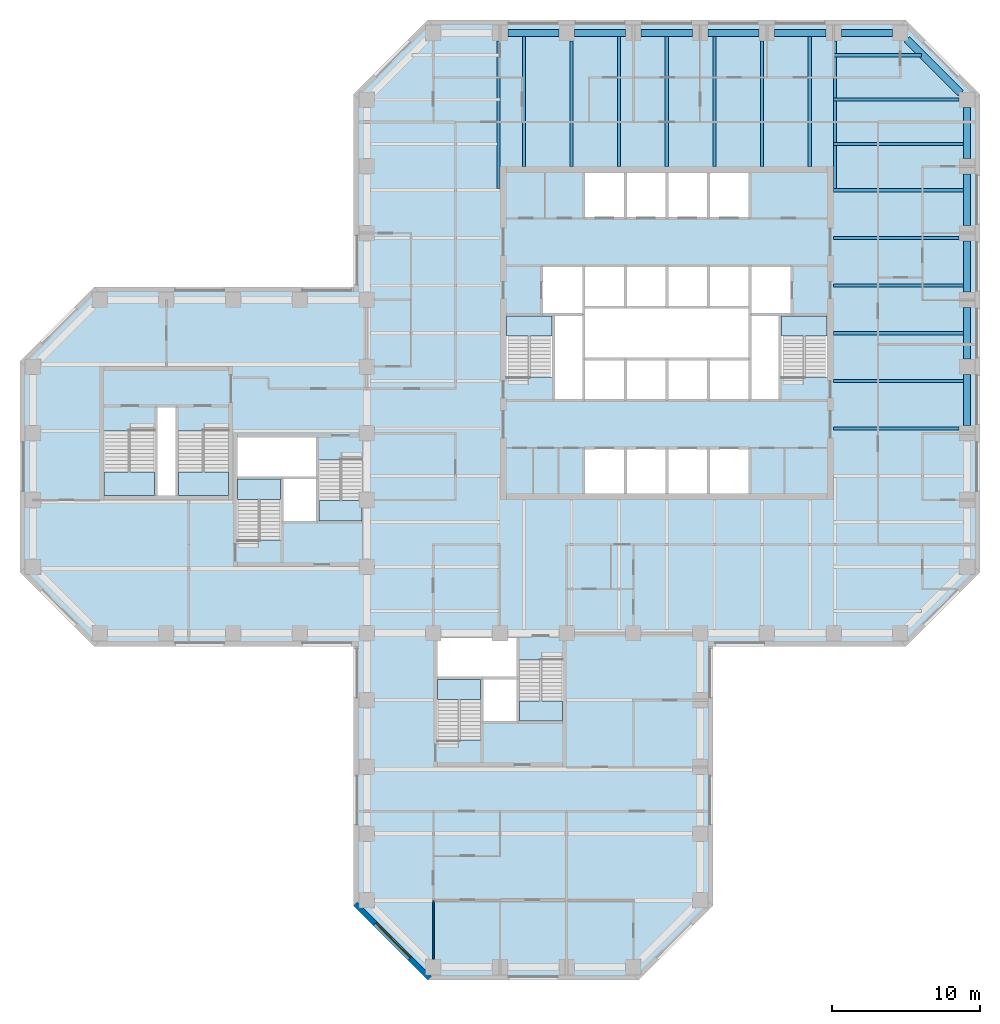
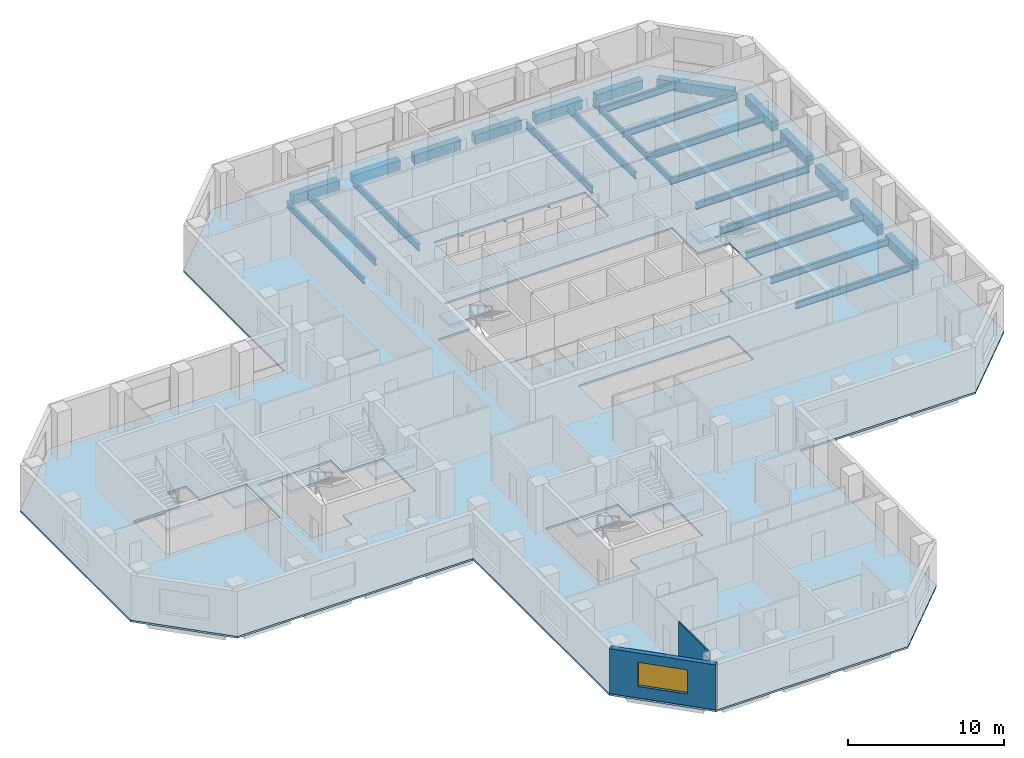
# One storey, part 2 of 11: 30 beams, 9 slabs, 2 walls, 1 window, 1 opening, 8 elements without a shape of their own.
"""IFC4 building model written with IfcOpenShell, lengths in metres."""

from ifc_helpers import new_model, si_unit, direction, frame, frame_2d, origin, origin_2d, place, context, subcontext, project, spatial, polyline, rectangle, i_section, outline, extrude, material, layer, layer_set, constituent, constituent_set, material_profile, profile_set, type_object, element, fill, aggregate, save


model = new_model("IFC4")

# Units and contexts
model_context = context("Model", 3, precision=1e-05, world=origin(), true_north=direction((0.0, 1.0)))
body_context = subcontext(model_context, "Body", "Model", "MODEL_VIEW")
ifc_project = project(units=[si_unit("LENGTHUNIT", "METRE"), si_unit("AREAUNIT", "SQUARE_METRE"), si_unit("VOLUMEUNIT", "CUBIC_METRE"), si_unit("PLANEANGLEUNIT", "RADIAN"), si_unit("MASSUNIT", "GRAM", prefix="KILO")], contexts=[model_context])

# Site, building, storey
site_placement = place(None, origin())
site = spatial("IfcSite", under=ifc_project, at=site_placement, CompositionType="ELEMENT")
building_placement = place(site_placement, origin())
building = spatial("IfcBuilding", under=site, at=building_placement, Name="Quoin Convention Tower", CompositionType="ELEMENT")
storey_placement = place(building_placement, frame((0.0, 0.0, 119.60009765625)))
storey = spatial("IfcBuildingStorey", under=building, at=storey_placement, Name="L31", CompositionType="ELEMENT", Elevation=119.60009765625)

# Beams
ifc_material_1 = material(Name="Steel Grade 300", Category="steel")
ifc_material_profile_1 = material_profile(ifc_material_1, i_section(OverallWidth=0.18994140625, OverallDepth=0.4541015625, WebThickness=0.008544921875, FlangeThickness=0.0126953125, FilletRadius=0.011474609375, at=origin_2d()), Name="460UB67.1")
ifc_profile_set_1 = profile_set([ifc_material_profile_1], Name="Steel Grade 300")
beam_type_1 = type_object("IfcBeamType", Name="460UB67.1", PredefinedType="BEAM", material=ifc_profile_set_1)
for number, where, z_axis, x_axis, name in (
    (1, (44.8955078125, 80.47509765625, -0.377197265625), (0.0, -1.0, 0.0), (1.0, 0.0, 0.0), "gir-L31-T1NW"),
    (2, (67.6044921875, 80.47509765625, -0.377197265625), (0.0, -1.0, 0.0), (1.0, 0.0, 0.0), "gir-L31-T1NE"),
):
    element("IfcBeam", number, at=place(storey_placement, frame(where, z_axis=z_axis, x_axis=x_axis)), inside=storey, type_object=beam_type_1, Name=name, PredefinedType="BEAM", context=body_context, shape_type="SweptSolid", body=[
        extrude(i_section(OverallWidth=0.18994140625, OverallDepth=0.4541015625, WebThickness=0.008544921875, FlangeThickness=0.0126953125, FilletRadius=0.011474609375, at=origin_2d()), origin(), (0.0, 0.0, 1.0), 9.977783203125),
    ])
ifc_material_profile_2 = material_profile(ifc_material_1, i_section(OverallWidth=0.208984375, OverallDepth=0.528076171875, WebThickness=0.009521484375, FlangeThickness=0.01318359375, FilletRadius=0.013916015625, at=origin_2d()), Name="530UB82.0")
ifc_profile_set_2 = profile_set([ifc_material_profile_2], Name="Steel Grade 300")
beam_type_2 = type_object("IfcBeamType", Name="530UB82.0", PredefinedType="BEAM", material=ifc_profile_set_2)
beam_1_placement = place(storey_placement, frame((67.5, 54.3212890625, -0.4140625), z_axis=(1.0, 0.0, 0.0), x_axis=(0.0, 1.0, 0.0)))
element("IfcBeam", 3, at=beam_1_placement, inside=storey, type_object=beam_type_2, Name="bm-L31-T1E1", PredefinedType="BEAM", context=body_context, shape_type="SweptSolid", body=[
    extrude(i_section(OverallWidth=0.208984375, OverallDepth=0.528076171875, WebThickness=0.009521484375, FlangeThickness=0.01318359375, FilletRadius=0.013916015625, at=origin_2d()), origin(), (0.0, 0.0, 1.0), 8.47509765625),
])
for number, where, z_axis, x_axis, name in (
    (4, (67.5, 57.53564453125, -0.4140625), (1.0, 0.0, 0.0), (0.0, 1.0, 0.0), "bm-L31-T1E2"),
    (5, (67.5, 60.75, -0.4140625), (1.0, 0.0, 0.0), (0.0, 1.0, 0.0), "bm-L31-T1E3"),
    (6, (67.5, 63.96435546875, -0.4140625), (1.0, 0.0, 0.0), (0.0, 1.0, 0.0), "bm-L31-T1E4"),
):
    element("IfcBeam", number, at=place(storey_placement, frame(where, z_axis=z_axis, x_axis=x_axis)), inside=storey, type_object=beam_type_2, Name=name, PredefinedType="BEAM", context=body_context, shape_type="SweptSolid", body=[
        extrude(i_section(OverallWidth=0.208984375, OverallDepth=0.528076171875, WebThickness=0.009521484375, FlangeThickness=0.01318359375, FilletRadius=0.013916015625, at=origin_2d()), origin(), (0.0, 0.0, 1.0), 8.75),
    ])
beam_2_placement = place(storey_placement, frame((67.5, 67.1787109375, -0.4140625), z_axis=(1.0, 0.0, 0.0), x_axis=(0.0, 1.0, 0.0)))
element("IfcBeam", 7, at=beam_2_placement, inside=storey, type_object=beam_type_2, Name="bm-L31-T1E5", PredefinedType="BEAM", context=body_context, shape_type="SweptSolid", body=[
    extrude(i_section(OverallWidth=0.208984375, OverallDepth=0.528076171875, WebThickness=0.009521484375, FlangeThickness=0.01318359375, FilletRadius=0.013916015625, at=origin_2d()), origin(), (0.0, 0.0, 1.0), 8.47509765625),
])
for number, where, z_axis, x_axis, name in (
    (8, (67.5, 70.392822265625, -0.4140625), (1.0, 0.0, 0.0), (0.0, 1.0, 0.0), "bm-L31-T1E6"),
    (9, (46.607177734375, 72.0, -0.4140625), (0.0, 1.0, 0.0), (-1.0, 0.0, 0.0), "bm-L31-T1N0"),
):
    element("IfcBeam", number, at=place(storey_placement, frame(where, z_axis=z_axis, x_axis=x_axis)), inside=storey, type_object=beam_type_2, Name=name, PredefinedType="BEAM", context=body_context, shape_type="SweptSolid", body=[
        extrude(i_section(OverallWidth=0.208984375, OverallDepth=0.528076171875, WebThickness=0.009521484375, FlangeThickness=0.01318359375, FilletRadius=0.013916015625, at=origin_2d()), origin(), (0.0, 0.0, 1.0), 8.75),
    ])
beam_3_placement = place(storey_placement, frame((49.8212890625, 72.0, -0.4140625), z_axis=(0.0, 1.0, 0.0), x_axis=(-1.0, 0.0, 0.0)))
element("IfcBeam", 10, at=beam_3_placement, inside=storey, type_object=beam_type_2, Name="bm-L31-T1N1", PredefinedType="BEAM", context=body_context, shape_type="SweptSolid", body=[
    extrude(i_section(OverallWidth=0.208984375, OverallDepth=0.528076171875, WebThickness=0.009521484375, FlangeThickness=0.01318359375, FilletRadius=0.013916015625, at=origin_2d()), origin(), (0.0, 0.0, 1.0), 8.47509765625),
])
for number, where, z_axis, x_axis, name in (
    (11, (53.03564453125, 72.0, -0.4140625), (0.0, 1.0, 0.0), (-1.0, 0.0, 0.0), "bm-L31-T1N2"),
    (12, (56.25, 72.0, -0.4140625), (0.0, 1.0, 0.0), (-1.0, 0.0, 0.0), "bm-L31-T1N3"),
    (13, (59.46435546875, 72.0, -0.4140625), (0.0, 1.0, 0.0), (-1.0, 0.0, 0.0), "bm-L31-T1N4"),
):
    element("IfcBeam", number, at=place(storey_placement, frame(where, z_axis=z_axis, x_axis=x_axis)), inside=storey, type_object=beam_type_2, Name=name, PredefinedType="BEAM", context=body_context, shape_type="SweptSolid", body=[
        extrude(i_section(OverallWidth=0.208984375, OverallDepth=0.528076171875, WebThickness=0.009521484375, FlangeThickness=0.01318359375, FilletRadius=0.013916015625, at=origin_2d()), origin(), (0.0, 0.0, 1.0), 8.75),
    ])
beam_4_placement = place(storey_placement, frame((62.6787109375, 72.0, -0.4140625), z_axis=(0.0, 1.0, 0.0), x_axis=(-1.0, 0.0, 0.0)))
element("IfcBeam", 14, at=beam_4_placement, inside=storey, type_object=beam_type_2, Name="bm-L31-T1N5", PredefinedType="BEAM", context=body_context, shape_type="SweptSolid", body=[
    extrude(i_section(OverallWidth=0.208984375, OverallDepth=0.528076171875, WebThickness=0.009521484375, FlangeThickness=0.01318359375, FilletRadius=0.013916015625, at=origin_2d()), origin(), (0.0, 0.0, 1.0), 8.47509765625),
])
beam_5_placement = place(storey_placement, frame((65.892822265625, 72.0, -0.4140625), z_axis=(0.0, 1.0, 0.0), x_axis=(-1.0, 0.0, 0.0)))
element("IfcBeam", 15, at=beam_5_placement, inside=storey, type_object=beam_type_2, Name="bm-L31-T1N6", PredefinedType="BEAM", context=body_context, shape_type="SweptSolid", body=[
    extrude(i_section(OverallWidth=0.208984375, OverallDepth=0.528076171875, WebThickness=0.009521484375, FlangeThickness=0.01318359375, FilletRadius=0.013916015625, at=origin_2d()), origin(), (0.0, 0.0, 1.0), 8.75),
])
beam_6_placement = place(storey_placement, frame((67.5, 79.5, -0.4140625), z_axis=(1.0, 0.0, 0.0), x_axis=(0.0, 1.0, 0.0)))
element("IfcBeam", 16, at=beam_6_placement, inside=storey, type_object=beam_type_2, Name="bm-L31-T1NE0", PredefinedType="BEAM", context=body_context, shape_type="SweptSolid", body=[
    extrude(i_section(OverallWidth=0.208984375, OverallDepth=0.528076171875, WebThickness=0.009521484375, FlangeThickness=0.01318359375, FilletRadius=0.013916015625, at=origin_2d()), origin(), (0.0, 0.0, 1.0), 5.927734375),
])
beam_7_placement = place(storey_placement, frame((67.5, 76.5, -0.4140625), z_axis=(1.0, 0.0, 0.0), x_axis=(0.0, 1.0, 0.0)))
element("IfcBeam", 17, at=beam_7_placement, inside=storey, type_object=beam_type_2, Name="bm-L31-T1NE1", PredefinedType="BEAM", context=body_context, shape_type="SweptSolid", body=[
    extrude(i_section(OverallWidth=0.208984375, OverallDepth=0.528076171875, WebThickness=0.009521484375, FlangeThickness=0.01318359375, FilletRadius=0.013916015625, at=origin_2d()), origin(), (0.0, 0.0, 1.0), 8.47509765625),
])
beam_8_placement = place(storey_placement, frame((67.5, 73.5, -0.4140625), z_axis=(1.0, 0.0, 0.0), x_axis=(0.0, 1.0, 0.0)))
element("IfcBeam", 18, at=beam_8_placement, inside=storey, type_object=beam_type_2, Name="bm-L31-T1NE2", PredefinedType="BEAM", context=body_context, shape_type="SweptSolid", body=[
    extrude(i_section(OverallWidth=0.208984375, OverallDepth=0.528076171875, WebThickness=0.009521484375, FlangeThickness=0.01318359375, FilletRadius=0.013916015625, at=origin_2d()), origin(), (0.0, 0.0, 1.0), 8.75),
])
ifc_material_2 = material(Name="Concrete C65", Category="concrete")
ifc_material_profile_3 = material_profile(ifc_material_2, rectangle(XDim=0.5, YDim=0.75, at=origin_2d()), Name="RC 500x750")
ifc_profile_set_3 = profile_set([ifc_material_profile_3], Name="Concrete C65")
beam_type_3 = type_object("IfcBeamType", Name="RC 500x750 C65", PredefinedType="SPANDREL", material=ifc_profile_set_3)
for number, where, z_axis, x_axis, name in (
    (19, (76.5, 54.52490234375, -0.525146484375), (0.0, 1.0, 0.0), (-1.0, 0.0, 0.0), "spd-L31-76500_54000-76500_58500"),
    (20, (76.5, 59.02490234375, -0.525146484375), (0.0, 1.0, 0.0), (-1.0, 0.0, 0.0), "spd-L31-76500_58500-76500_63000"),
    (21, (76.5, 63.52490234375, -0.525146484375), (0.0, 1.0, 0.0), (-1.0, 0.0, 0.0), "spd-L31-76500_63000-76500_67500"),
    (22, (76.5, 68.02490234375, -0.525146484375), (0.0, 1.0, 0.0), (-1.0, 0.0, 0.0), "spd-L31-76500_67500-76500_72000"),
    (23, (76.5, 72.52490234375, -0.525146484375), (0.0, 1.0, 0.0), (-1.0, 0.0, 0.0), "spd-L31-76500_72000-76500_76500"),
):
    element("IfcBeam", number, at=place(storey_placement, frame(where, z_axis=z_axis, x_axis=x_axis)), inside=storey, type_object=beam_type_3, Name=name, PredefinedType="SPANDREL", context=body_context, shape_type="SweptSolid", body=[
        extrude(rectangle(XDim=0.5, YDim=0.75, at=origin_2d()), origin(), (0.0, 0.0, 1.0), 3.4501953125),
    ])
beam_9_placement = place(storey_placement, frame((76.059814453125, 76.940185546875, -0.525146484375), z_axis=(-0.707106781187, 0.707106781187, 0.0), x_axis=(-0.707106781187, -0.707106781187, 0.0)))
element("IfcBeam", 24, at=beam_9_placement, inside=storey, type_object=beam_type_3, Name="spd-L31-76500_76500-72000_81000", PredefinedType="SPANDREL", context=body_context, shape_type="SweptSolid", body=[
    extrude(rectangle(XDim=0.5, YDim=0.75, at=origin_2d()), origin(), (0.0, 0.0, 1.0), 5.118896484375),
])
for number, where, z_axis, x_axis, name in (
    (25, (71.47509765625, 81.0, -0.525146484375), (-1.0, 0.0, 0.0), (0.0, -1.0, 0.0), "spd-L31-72000_81000-67500_81000"),
    (26, (66.97509765625, 81.0, -0.525146484375), (-1.0, 0.0, 0.0), (0.0, -1.0, 0.0), "spd-L31-67500_81000-63000_81000"),
    (27, (62.47509765625, 81.0, -0.525146484375), (-1.0, 0.0, 0.0), (0.0, -1.0, 0.0), "spd-L31-63000_81000-58500_81000"),
    (28, (57.97509765625, 81.0, -0.525146484375), (-1.0, 0.0, 0.0), (0.0, -1.0, 0.0), "spd-L31-58500_81000-54000_81000"),
    (29, (53.47509765625, 81.0, -0.525146484375), (-1.0, 0.0, 0.0), (0.0, -1.0, 0.0), "spd-L31-54000_81000-49500_81000"),
    (30, (48.97509765625, 81.0, -0.525146484375), (-1.0, 0.0, 0.0), (0.0, -1.0, 0.0), "spd-L31-49500_81000-45000_81000"),
):
    element("IfcBeam", number, at=place(storey_placement, frame(where, z_axis=z_axis, x_axis=x_axis)), inside=storey, type_object=beam_type_3, Name=name, PredefinedType="SPANDREL", context=body_context, shape_type="SweptSolid", body=[
        extrude(rectangle(XDim=0.5, YDim=0.75, at=origin_2d()), origin(), (0.0, 0.0, 1.0), 3.4501953125),
    ])

# Slab
ifc_material_3 = material(Name="Concrete C40", Category="concrete")
ifc_layer_1 = layer(ifc_material_3, 0.14990234375)
ifc_layer_set_1 = layer_set([ifc_layer_1], Name="Concrete C40")
slab_type_1 = type_object("IfcSlabType", Name="COMPOSITE SLAB 150 C40", PredefinedType="FLOOR", material=ifc_layer_set_1)
slab_1_placement = place(storey_placement, frame((0.0, 0.0, -0.150146484375)))
element("IfcSlab", 31, at=slab_1_placement, inside=storey, type_object=slab_type_1, Name="slb-L31", PredefinedType="FLOOR", context=body_context, shape_type="SweptSolid", body=[
    extrude(outline(polyline([(59.375, 22.1376953125), (54.3623046875, 17.125), (40.1376953125, 17.125), (35.125, 22.1376953125), (35.125, 39.625), (17.6376953125, 39.625), (12.625, 44.6376953125), (12.625, 58.8623046875), (17.6376953125, 63.875), (35.125, 63.875), (35.125, 76.8623046875), (40.1376953125, 81.875), (72.3623046875, 81.875), (77.375, 76.8623046875), (77.375, 44.6376953125), (72.3623046875, 39.625), (59.375, 39.625), (59.375, 22.1376953125)]), holes=[polyline([(40.800048828125, 40.199951171875), (40.800048828125, 37.5), (40.800048828125, 33.300537109375), (43.800048828125, 33.300537109375), (43.800048828125, 34.5), (46.199951171875, 34.5), (49.199951171875, 34.5), (49.199951171875, 38.699462890625), (46.199951171875, 38.699462890625), (46.199951171875, 40.199951171875), (40.800048828125, 40.199951171875)]), polyline([(35.699951171875, 52.199462890625), (32.699951171875, 52.199462890625), (32.699951171875, 53.699951171875), (27.300048828125, 53.699951171875), (27.300048828125, 51.0), (27.300048828125, 46.800537109375), (30.300048828125, 46.800537109375), (30.300048828125, 48.0), (32.699951171875, 48.0), (35.699951171875, 48.0), (35.699951171875, 52.199462890625)]), polyline([(53.449951171875, 49.949951171875), (56.25, 49.949951171875), (59.050048828125, 49.949951171875), (61.85009765625, 49.949951171875), (61.85009765625, 53.0), (59.050048828125, 53.0), (56.25, 53.0), (53.449951171875, 53.0), (50.64990234375, 53.0), (50.64990234375, 49.949951171875), (53.449951171875, 49.949951171875)]), polyline([(21.800048828125, 55.85009765625), (21.800048828125, 54.1494140625), (18.300048828125, 54.1494140625), (18.300048828125, 49.800048828125), (21.800048828125, 49.800048828125), (23.199951171875, 49.800048828125), (26.699951171875, 49.800048828125), (26.699951171875, 54.1494140625), (23.199951171875, 54.1494140625), (23.199951171875, 55.85009765625), (21.800048828125, 55.85009765625)]), polyline([(48.60009765625, 57.800537109375), (48.60009765625, 56.199951171875), (50.64990234375, 56.199951171875), (53.449951171875, 56.199951171875), (56.25, 56.199951171875), (59.050048828125, 56.199951171875), (61.85009765625, 56.199951171875), (63.89990234375, 56.199951171875), (63.89990234375, 57.800537109375), (67.050048828125, 57.800537109375), (67.050048828125, 62.0), (64.699951171875, 62.0), (64.699951171875, 65.300048828125), (61.85009765625, 65.300048828125), (59.050048828125, 65.300048828125), (56.25, 65.300048828125), (53.449951171875, 65.300048828125), (50.64990234375, 65.300048828125), (47.800048828125, 65.300048828125), (47.800048828125, 62.0), (45.449951171875, 62.0), (45.449951171875, 57.800537109375), (48.60009765625, 57.800537109375)]), polyline([(50.64990234375, 68.5), (53.449951171875, 68.5), (56.25, 68.5), (59.050048828125, 68.5), (61.85009765625, 68.5), (61.85009765625, 71.550048828125), (59.050048828125, 71.550048828125), (56.25, 71.550048828125), (53.449951171875, 71.550048828125), (50.64990234375, 71.550048828125), (50.64990234375, 68.5)])]), origin(), (0.0, 0.0, 1.0), 0.150146484375),
])

# Stair, slab
stair_type_1 = type_object("IfcStairType", Name="Exit stair two-flight 1350", PredefinedType="HALF_TURN_STAIR", material=ifc_material_3)
stair_1_placement = place(storey_placement, origin())
stair_1 = element("IfcStair", 32, at=stair_1_placement, inside=storey, type_object=stair_type_1, Name="SD1 L31", PredefinedType="HALF_TURN_STAIR")
ifc_layer_2 = layer(ifc_material_3, 0.199951171875)
ifc_layer_set_2 = layer_set([ifc_layer_2], Name="Concrete C40")
slab_type_2 = type_object("IfcSlabType", Name="Stair landing 200", PredefinedType="LANDING", material=ifc_layer_set_2)
slab_2_placement = place(storey_placement, frame((0.0, 0.0, 1.792236328125)))
slab_2 = element("IfcSlab", 33, at=slab_2_placement, type_object=slab_type_2, Name="ST1 landing 1", PredefinedType="LANDING", context=body_context, shape_type="SweptSolid", body=[
    extrude(outline(polyline([(45.449951171875, 60.550048828125), (48.5, 60.550048828125), (48.5, 61.89990234375), (45.449951171875, 61.89990234375), (45.449951171875, 60.550048828125)])), origin(), (0.0, 0.0, 1.0), 0.199951171875),
])
aggregate(stair_1, [slab_2])

stair_2_placement = place(storey_placement, origin())
stair_2 = element("IfcStair", 34, at=stair_2_placement, inside=storey, type_object=stair_type_1, Name="SD2 L31", PredefinedType="HALF_TURN_STAIR")
slab_3_placement = place(storey_placement, frame((0.0, 0.0, 1.792236328125)))
slab_3 = element("IfcSlab", 35, at=slab_3_placement, type_object=slab_type_2, Name="ST2 landing 1", PredefinedType="LANDING", context=body_context, shape_type="SweptSolid", body=[
    extrude(outline(polyline([(64.0, 60.550048828125), (67.050048828125, 60.550048828125), (67.050048828125, 61.89990234375), (64.0, 61.89990234375), (64.0, 60.550048828125)])), origin(), (0.0, 0.0, 1.0), 0.199951171875),
])
aggregate(stair_2, [slab_3])

stair_3_placement = place(storey_placement, origin())
stair_3 = element("IfcStair", 36, at=stair_3_placement, inside=storey, type_object=stair_type_1, Name="SD3 L31", PredefinedType="HALF_TURN_STAIR")
slab_4_placement = place(storey_placement, frame((0.0, 0.0, 1.792236328125)))
slab_4 = element("IfcSlab", 37, at=slab_4_placement, type_object=slab_type_2, Name="ST3 landing 1", PredefinedType="LANDING", context=body_context, shape_type="SweptSolid", body=[
    extrude(outline(polyline([(27.300048828125, 49.550048828125), (30.199951171875, 49.550048828125), (30.199951171875, 50.89990234375), (27.300048828125, 50.89990234375), (27.300048828125, 49.550048828125)])), origin(), (0.0, 0.0, 1.0), 0.199951171875),
])
aggregate(stair_3, [slab_4])

stair_4_placement = place(storey_placement, origin())
stair_4 = element("IfcStair", 38, at=stair_4_placement, inside=storey, type_object=stair_type_1, Name="SD4 L31", PredefinedType="HALF_TURN_STAIR")
slab_5_placement = place(storey_placement, frame((0.0, 0.0, 1.792236328125)))
slab_5 = element("IfcSlab", 39, at=slab_5_placement, type_object=slab_type_2, Name="ST4 landing 1", PredefinedType="LANDING", context=body_context, shape_type="SweptSolid", body=[
    extrude(outline(polyline([(35.699951171875, 49.449951171875), (32.800048828125, 49.449951171875), (32.800048828125, 48.10009765625), (35.699951171875, 48.10009765625), (35.699951171875, 49.449951171875)])), origin(), (0.0, 0.0, 1.0), 0.199951171875),
])
aggregate(stair_4, [slab_5])

stair_5_placement = place(storey_placement, origin())
stair_5 = element("IfcStair", 40, at=stair_5_placement, inside=storey, type_object=stair_type_1, Name="SD5 L31", PredefinedType="HALF_TURN_STAIR")
slab_6_placement = place(storey_placement, frame((0.0, 0.0, 1.792236328125)))
slab_6 = element("IfcSlab", 41, at=slab_6_placement, type_object=slab_type_2, Name="ST5 landing 1", PredefinedType="LANDING", context=body_context, shape_type="SweptSolid", body=[
    extrude(outline(polyline([(40.800048828125, 36.050048828125), (43.699951171875, 36.050048828125), (43.699951171875, 37.39990234375), (40.800048828125, 37.39990234375), (40.800048828125, 36.050048828125)])), origin(), (0.0, 0.0, 1.0), 0.199951171875),
])
aggregate(stair_5, [slab_6])

stair_6_placement = place(storey_placement, origin())
stair_6 = element("IfcStair", 42, at=stair_6_placement, inside=storey, type_object=stair_type_1, Name="SD6 L31", PredefinedType="HALF_TURN_STAIR")
slab_7_placement = place(storey_placement, frame((0.0, 0.0, 1.792236328125)))
slab_7 = element("IfcSlab", 43, at=slab_7_placement, type_object=slab_type_2, Name="ST6 landing 1", PredefinedType="LANDING", context=body_context, shape_type="SweptSolid", body=[
    extrude(outline(polyline([(49.199951171875, 35.949951171875), (46.300048828125, 35.949951171875), (46.300048828125, 34.60009765625), (49.199951171875, 34.60009765625), (49.199951171875, 35.949951171875)])), origin(), (0.0, 0.0, 1.0), 0.199951171875),
])
aggregate(stair_6, [slab_7])

stair_type_2 = type_object("IfcStairType", Name="Exit stair two-flight 1600", PredefinedType="HALF_TURN_STAIR", material=ifc_material_3)
stair_7_placement = place(storey_placement, origin())
stair_7 = element("IfcStair", 44, at=stair_7_placement, inside=storey, type_object=stair_type_2, Name="SD11 L31", PredefinedType="HALF_TURN_STAIR")
slab_8_placement = place(storey_placement, frame((0.0, 0.0, 1.792236328125)))
slab_8 = element("IfcSlab", 45, at=slab_8_placement, type_object=slab_type_2, Name="ST11 landing 1", PredefinedType="LANDING", context=body_context, shape_type="SweptSolid", body=[
    extrude(outline(polyline([(21.699951171875, 51.39990234375), (18.300048828125, 51.39990234375), (18.300048828125, 49.800048828125), (21.699951171875, 49.800048828125), (21.699951171875, 51.39990234375)])), origin(), (0.0, 0.0, 1.0), 0.199951171875),
])
aggregate(stair_7, [slab_8])

stair_8_placement = place(storey_placement, origin())
stair_8 = element("IfcStair", 46, at=stair_8_placement, inside=storey, type_object=stair_type_2, Name="SD12 L31", PredefinedType="HALF_TURN_STAIR")
slab_9_placement = place(storey_placement, frame((0.0, 0.0, 1.792236328125)))
slab_9 = element("IfcSlab", 47, at=slab_9_placement, type_object=slab_type_2, Name="ST12 landing 1", PredefinedType="LANDING", context=body_context, shape_type="SweptSolid", body=[
    extrude(outline(polyline([(26.699951171875, 51.39990234375), (23.300048828125, 51.39990234375), (23.300048828125, 49.800048828125), (26.699951171875, 49.800048828125), (26.699951171875, 51.39990234375)])), origin(), (0.0, 0.0, 1.0), 0.199951171875),
])
aggregate(stair_8, [slab_9])

# Wall, opening, window
ifc_material_4 = material(Name="Brick masonry", Category="masonry")
ifc_layer_3 = layer(ifc_material_4, 0.35009765625)
ifc_layer_set_3 = layer_set([ifc_layer_3], Name="Brick masonry")
wall_type_1 = type_object("IfcWallType", Name="Brick facade wall", PredefinedType="STANDARD", material=ifc_layer_set_3)
wall_1_placement = place(storey_placement, frame((35.248779296875, 22.26123046875, 0.0), z_axis=(0.0, 0.0, 1.0), x_axis=(0.707106781187, -0.707106781187, 0.0)))
wall_1 = element("IfcWall", 48, at=wall_1_placement, inside=storey, type_object=wall_type_1, Name="fw-L31-36000_22500", PredefinedType="STANDARD", context=body_context, shape_type="SweptSolid", body=[
    extrude(rectangle(XDim=7.088623046875, YDim=0.35009765625, at=frame_2d((3.54443359375, 0.0))), origin(), (0.0, 0.0, 1.0), 3.52490234375),
])
opening_placement = place(wall_1_placement, frame((1.894287109375, 0.0, 0.89990234375)))
opening = element("IfcOpeningElement", 49, at=opening_placement, cuts=wall_1, Name="Opening W-02", PredefinedType="OPENING", context=body_context, shape_type="SweptSolid", body=[
    extrude(rectangle(XDim=3.300048828125, YDim=1.89990234375, at=frame_2d((1.64990234375, 0.949951171875))), frame((0.0, 0.18505859375, 0.0), z_axis=(0.0, -1.0, 0.0), x_axis=(1.0, 0.0, 0.0)), (0.0, 0.0, 1.0), 0.3701171875),
])
ifc_material_5 = material(Name="Aluminium", Category="aluminium")
ifc_constituent_1 = constituent(ifc_material_5, Name="Frame")
ifc_material_6 = material(Name="Insulated glass", Category="glass")
ifc_constituent_2 = constituent(ifc_material_6, Name="Glazing")
ifc_constituent_set = constituent_set(constituents=[ifc_constituent_1, ifc_constituent_2], Name="Aluminium")
window_type = type_object("IfcWindowType", Name="Office window", PartitioningType="DOUBLE_PANEL_VERTICAL", PredefinedType="WINDOW", material=ifc_constituent_set)
window_placement = place(opening_placement, origin())
window = element("IfcWindow", 50, at=window_placement, inside=storey, type_object=window_type, Name="win-L31-37755_19755", OverallHeight=1.89990234375, OverallWidth=3.300048828125, PartitioningType="SINGLE_PANEL", PredefinedType="WINDOW", context=body_context, shape_type="SweptSolid", body=[
    extrude(rectangle(XDim=3.300048828125, YDim=1.89990234375, at=frame_2d((1.64990234375, 0.949951171875))), frame((0.0, 0.0849609375, 0.0), z_axis=(0.0, -1.0, 0.0), x_axis=(1.0, 0.0, 0.0)), (0.0, 0.0, 1.0), 0.06005859375),
])
fill(opening, window)

# Wall
ifc_material_7 = material(Name="Plasterboard")
ifc_layer_4 = layer(ifc_material_7, 0.012451171875, Name="Finish")
ifc_material_8 = material(Name="Steel stud framing", Category="steel")
ifc_layer_5 = layer(ifc_material_8, 0.074951171875, Name="Structure")
ifc_layer_6 = layer(ifc_material_7, 0.012451171875, Name="Finish")
ifc_layer_set_4 = layer_set([ifc_layer_4, ifc_layer_5, ifc_layer_6], Name="Steel stud framing")
wall_type_2 = type_object("IfcWallType", Name="Stud partition 100", PredefinedType="PARTITIONING", material=ifc_layer_set_4)
wall_2_placement = place(storey_placement, frame((40.5, 18.52490234375, 0.0), z_axis=(0.0, 0.0, 1.0), x_axis=(0.0, 1.0, 0.0)))
element("IfcWall", 51, at=wall_2_placement, inside=storey, type_object=wall_type_2, Name="pw-L31-061", PredefinedType="PARTITIONING", context=body_context, shape_type="SweptSolid", body=[
    extrude(rectangle(XDim=3.97509765625, YDim=0.10009765625, at=frame_2d((1.987548828125, 0.0))), origin(), (0.0, 0.0, 1.0), 3.5498046875),
])

save(model, "model.ifc")
